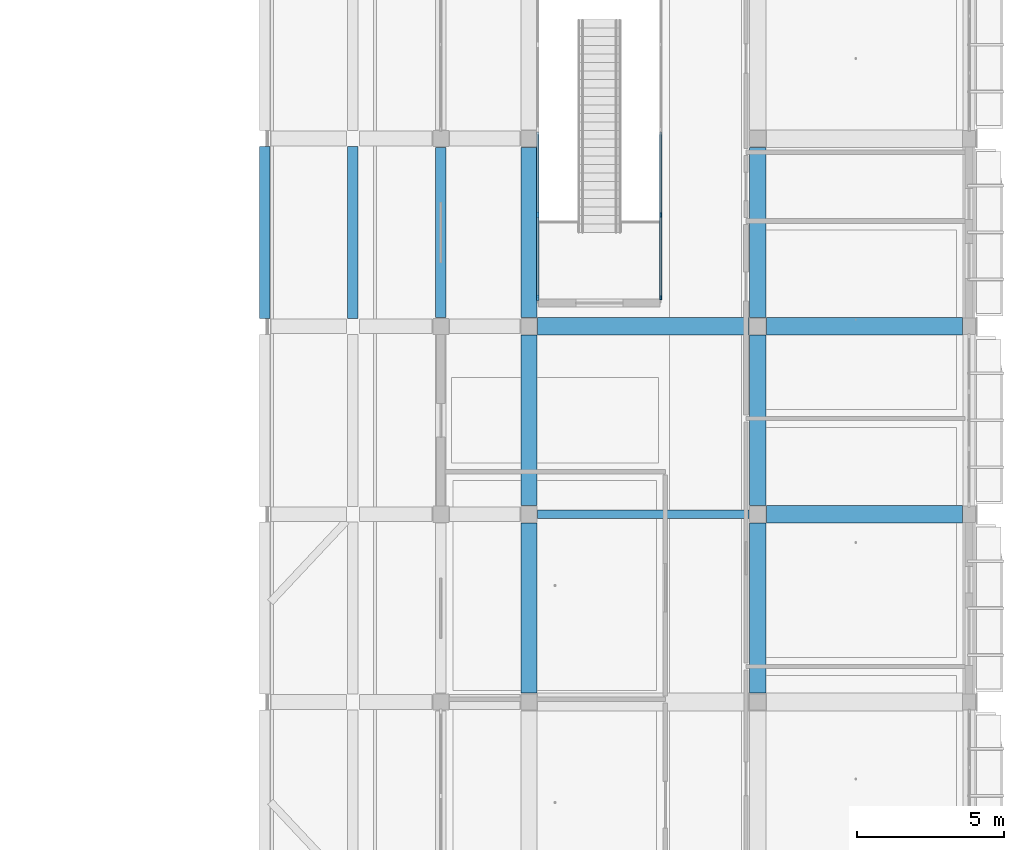
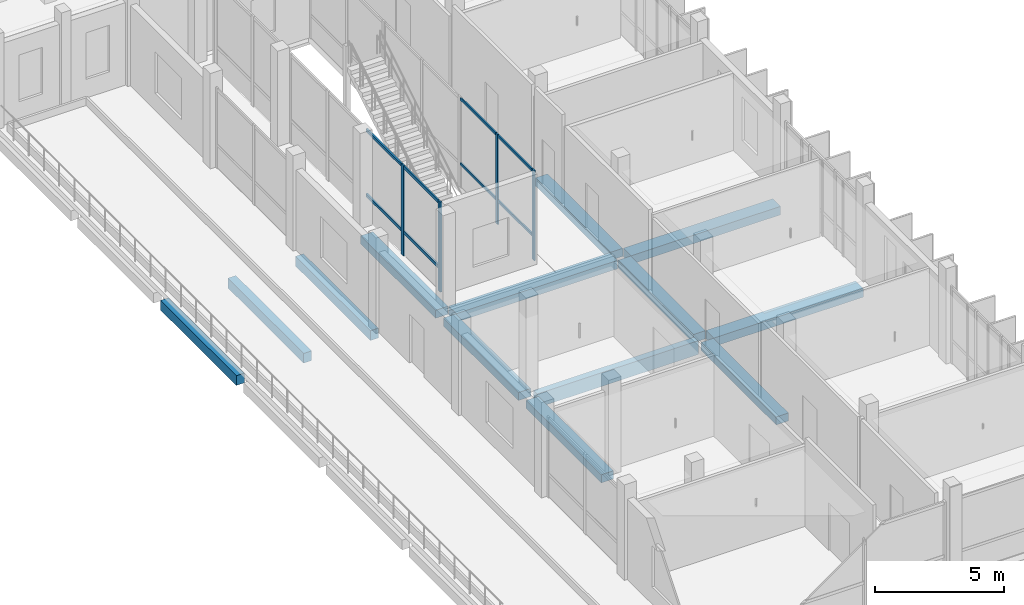
# One storey, part 33 of 95: 13 beams, 8 members, 2 elements without a shape of their own.
"""IFC4 building model written with IfcOpenShell, lengths in metres."""

from ifc_helpers import new_model, si_unit, derived_unit, direction, frame, origin, origin_2d, place, context, subcontext, project, spatial, rectangle, extrude, material, material_profile, profile_set, type_object, element, aggregate, save


model = new_model("IFC4")

# Units and contexts
model_context = context("Model", 3, precision=1e-05, world=origin(), true_north=direction((0.0, 1.0)))
body_context = subcontext(model_context, "Body", "Model", "MODEL_VIEW")
ifc_project = project(units=[si_unit("LENGTHUNIT", "METRE"), si_unit("AREAUNIT", "SQUARE_METRE"), si_unit("VOLUMEUNIT", "CUBIC_METRE"), si_unit("PLANEANGLEUNIT", "RADIAN"), si_unit("MASSUNIT", "GRAM", prefix="KILO"), derived_unit("THERMALTRANSMITTANCEUNIT", [(si_unit("POWERUNIT", "WATT"), 1), (si_unit("LENGTHUNIT", "METRE"), -2), (si_unit("THERMODYNAMICTEMPERATUREUNIT", "KELVIN"), -1)])], contexts=[model_context])

# Site, building, storey
site_placement = place(None, origin())
site = spatial("IfcSite", under=ifc_project, at=site_placement, CompositionType="ELEMENT")
building_placement = place(site_placement, origin())
building = spatial("IfcBuilding", under=site, at=building_placement, Name="Braskholm Square Health Centre", CompositionType="ELEMENT")
storey_placement = place(building_placement, frame((0.0, 0.0, 4.800048828125)))
storey = spatial("IfcBuildingStorey", under=building, at=storey_placement, Name="L02", CompositionType="ELEMENT", Elevation=4.800048828125)

# Curtain wall, members
ifc_material_1 = material(Name="Low-E triple insulating glass (VLT 0.64)", Category="glass")
curtain_wall_type = type_object("IfcCurtainWallType", Name="UnitisedCurtainWall5400x4100", PredefinedType="NOTDEFINED", material=ifc_material_1)
curtain_wall_1_placement = place(storey_placement, origin())
curtain_wall_1 = element("IfcCurtainWall", 1, at=curtain_wall_1_placement, inside=storey, type_object=curtain_wall_type, Name="EC1 Court E unitised curtain wall CW-L02-0328", PredefinedType="NOTDEFINED")
ifc_material_2 = material(Name="Architectural bronze anodised aluminium", Category="aluminium")
ifc_material_profile_1 = material_profile(ifc_material_2, rectangle(XDim=0.06494140625, YDim=0.14990234375, at=origin_2d()), Name="ALU-65X150")
ifc_profile_set_1 = profile_set([ifc_material_profile_1], Name="Architectural bronze anodised aluminium")
member_type_1 = type_object("IfcMemberType", Name="CurtainWallMullion65x150", PredefinedType="MULLION", material=ifc_profile_set_1)
member_1_placement = place(storey_placement, frame((153.300048828125, 33.60107421875, 0.0), z_axis=(0.0, 0.0, 1.0), x_axis=(1.0, 0.0, 0.0)))
member_1 = element("IfcMember", 2, at=member_1_placement, type_object=member_type_1, Name="CW-L02-0328 vertical mullion 2", PredefinedType="MULLION", context=body_context, shape_type="SweptSolid", body=[
    extrude(rectangle(XDim=0.06494140625, YDim=0.14990234375, at=origin_2d()), origin(), (0.0, 0.0, 1.0), 4.25),
])
member_2_placement = place(storey_placement, frame((153.300048828125, 30.7744140625, 0.0), z_axis=(0.0, 0.0, 1.0), x_axis=(1.0, 0.0, 0.0)))
member_2 = element("IfcMember", 3, at=member_2_placement, type_object=member_type_1, Name="CW-L02-0328 vertical mullion 3", PredefinedType="MULLION", context=body_context, shape_type="SweptSolid", body=[
    extrude(rectangle(XDim=0.06494140625, YDim=0.14990234375, at=origin_2d()), origin(), (0.0, 0.0, 1.0), 4.25),
])

curtain_wall_2_placement = place(storey_placement, origin())
curtain_wall_2 = element("IfcCurtainWall", 4, at=curtain_wall_2_placement, inside=storey, type_object=curtain_wall_type, Name="EC1 Court W unitised curtain wall CW-L02-0327", PredefinedType="NOTDEFINED")
ifc_material_profile_2 = material_profile(ifc_material_2, rectangle(XDim=0.074951171875, YDim=0.179931640625, at=origin_2d()), Name="ALU-75X180")
ifc_profile_set_2 = profile_set([ifc_material_profile_2], Name="Architectural bronze anodised aluminium")
member_type_2 = type_object("IfcMemberType", Name="CurtainWallMullion75x180", PredefinedType="MULLION", material=ifc_profile_set_2)
member_3_placement = place(storey_placement, frame((149.10009765625, 30.7744140625, 0.0), z_axis=(0.0, 0.0, 1.0), x_axis=(1.0, 0.0, 0.0)))
member_3 = element("IfcMember", 5, at=member_3_placement, type_object=member_type_2, Name="CW-L02-0327 vertical mullion 1", PredefinedType="MULLION", context=body_context, shape_type="SweptSolid", body=[
    extrude(rectangle(XDim=0.074951171875, YDim=0.179931640625, at=origin_2d()), origin(), (0.0, 0.0, 1.0), 4.25),
])
member_4_placement = place(storey_placement, frame((149.10009765625, 33.60107421875, 0.0), z_axis=(0.0, 0.0, 1.0), x_axis=(1.0, 0.0, 0.0)))
member_4 = element("IfcMember", 6, at=member_4_placement, type_object=member_type_2, Name="CW-L02-0327 vertical mullion 2", PredefinedType="MULLION", context=body_context, shape_type="SweptSolid", body=[
    extrude(rectangle(XDim=0.074951171875, YDim=0.179931640625, at=origin_2d()), origin(), (0.0, 0.0, 1.0), 4.25),
])

# Member
ifc_material_profile_3 = material_profile(ifc_material_2, rectangle(XDim=0.06494140625, YDim=0.1201171875, at=origin_2d()), Name="ALU-65X120")
ifc_profile_set_3 = profile_set([ifc_material_profile_3], Name="Architectural bronze anodised aluminium")
member_type_3 = type_object("IfcMemberType", Name="CurtainWallTransom65x120", PredefinedType="USERDEFINED", material=ifc_profile_set_3)
member_5_placement = place(storey_placement, frame((153.300048828125, 36.4169921875, 1.119873046875), z_axis=(0.0, -1.0, 0.0), x_axis=(1.0, 0.0, 0.0)))
member_5 = element("IfcMember", 7, at=member_5_placement, type_object=member_type_3, Name="CW-L02-0328 horizontal transom 1", ObjectType="TRANSOM", PredefinedType="USERDEFINED", context=body_context, shape_type="SweptSolid", body=[
    extrude(rectangle(XDim=0.06494140625, YDim=0.1201171875, at=origin_2d()), origin(), (0.0, 0.0, 1.0), 5.632080078125),
])

member_6_placement = place(storey_placement, frame((153.300048828125, 36.4169921875, 4.179931640625), z_axis=(0.0, -1.0, 0.0), x_axis=(1.0, 0.0, 0.0)))
member_6 = element("IfcMember", 8, at=member_6_placement, type_object=member_type_3, Name="CW-L02-0328 horizontal transom 2", ObjectType="TRANSOM", PredefinedType="USERDEFINED", context=body_context, shape_type="SweptSolid", body=[
    extrude(rectangle(XDim=0.06494140625, YDim=0.1201171875, at=origin_2d()), origin(), (0.0, 0.0, 1.0), 5.632080078125),
])

aggregate(curtain_wall_1, [member_1, member_2, member_5, member_6])

ifc_material_profile_4 = material_profile(ifc_material_2, rectangle(XDim=0.074951171875, YDim=0.139892578125, at=origin_2d()), Name="ALU-75X140")
ifc_profile_set_4 = profile_set([ifc_material_profile_4], Name="Architectural bronze anodised aluminium")
member_type_4 = type_object("IfcMemberType", Name="CurtainWallTransom75x140", PredefinedType="USERDEFINED", material=ifc_profile_set_4)
member_7_placement = place(storey_placement, frame((149.10009765625, 30.784912109375, 1.119873046875), z_axis=(0.0, 1.0, 0.0), x_axis=(-1.0, 0.0, 0.0)))
member_7 = element("IfcMember", 9, at=member_7_placement, type_object=member_type_4, Name="CW-L02-0327 horizontal transom 1", ObjectType="TRANSOM", PredefinedType="USERDEFINED", context=body_context, shape_type="SweptSolid", body=[
    extrude(rectangle(XDim=0.074951171875, YDim=0.139892578125, at=origin_2d()), origin(), (0.0, 0.0, 1.0), 5.632080078125),
])

member_8_placement = place(storey_placement, frame((149.10009765625, 30.784912109375, 4.179931640625), z_axis=(0.0, 1.0, 0.0), x_axis=(-1.0, 0.0, 0.0)))
member_8 = element("IfcMember", 10, at=member_8_placement, type_object=member_type_4, Name="CW-L02-0327 horizontal transom 2", ObjectType="TRANSOM", PredefinedType="USERDEFINED", context=body_context, shape_type="SweptSolid", body=[
    extrude(rectangle(XDim=0.074951171875, YDim=0.139892578125, at=origin_2d()), origin(), (0.0, 0.0, 1.0), 5.632080078125),
])

aggregate(curtain_wall_2, [member_3, member_4, member_7, member_8])

# Beams
ifc_material_3 = material(Name="Concrete C35/45 (f'c = 35 MPa)", Category="concrete")
ifc_material_profile_5 = material_profile(ifc_material_3, rectangle(XDim=0.550048828125, YDim=0.3798828125, at=origin_2d()), Name="RCB-550X380")
ifc_profile_set_5 = profile_set([ifc_material_profile_5], Name="Concrete C35/45 (f'c = 35 MPa)")
beam_type_1 = type_object("IfcBeamType", Name="PrimaryBandBeam550x380", PredefinedType="BEAM", material=ifc_profile_set_5)
for number, where, z_axis, x_axis, name in (
    (11, (148.800048828125, 17.300048828125, -0.489990234375), (0.0, 1.0, 0.0), (-1.0, 0.0, 0.0), "Beam 20/C-D L02"),
    (12, (148.800048828125, 23.699951171875, -0.489990234375), (0.0, 1.0, 0.0), (-1.0, 0.0, 0.0), "Beam 20/D-E L02"),
):
    element("IfcBeam", number, at=place(storey_placement, frame(where, z_axis=z_axis, x_axis=x_axis)), inside=storey, type_object=beam_type_1, Name=name, PredefinedType="BEAM", context=body_context, shape_type="SweptSolid", body=[
        extrude(rectangle(XDim=0.550048828125, YDim=0.3798828125, at=origin_2d()), origin(), (0.0, 0.0, 1.0), 5.800048828125),
    ])
beam_1_placement = place(storey_placement, frame((148.800048828125, 30.10009765625, -0.489990234375), z_axis=(0.0, 1.0, 0.0), x_axis=(-1.0, 0.0, 0.0)))
element("IfcBeam", 13, at=beam_1_placement, inside=storey, type_object=beam_type_1, Name="Beam 20/E-F L02", PredefinedType="BEAM", context=body_context, shape_type="SweptSolid", body=[
    extrude(rectangle(XDim=0.550048828125, YDim=0.3798828125, at=origin_2d()), origin(), (0.0, 0.0, 1.0), 5.7998046875),
])
for number, where, z_axis, x_axis, name in (
    (14, (156.60009765625, 17.300048828125, -0.489990234375), (0.0, 1.0, 0.0), (-1.0, 0.0, 0.0), "Beam 21/C-D L02"),
    (15, (156.60009765625, 23.699951171875, -0.489990234375), (0.0, 1.0, 0.0), (-1.0, 0.0, 0.0), "Beam 21/D-E L02"),
):
    element("IfcBeam", number, at=place(storey_placement, frame(where, z_axis=z_axis, x_axis=x_axis)), inside=storey, type_object=beam_type_1, Name=name, PredefinedType="BEAM", context=body_context, shape_type="SweptSolid", body=[
        extrude(rectangle(XDim=0.550048828125, YDim=0.3798828125, at=origin_2d()), origin(), (0.0, 0.0, 1.0), 5.800048828125),
    ])
beam_2_placement = place(storey_placement, frame((156.60009765625, 30.10009765625, -0.489990234375), z_axis=(0.0, 1.0, 0.0), x_axis=(-1.0, 0.0, 0.0)))
element("IfcBeam", 16, at=beam_2_placement, inside=storey, type_object=beam_type_1, Name="Beam 21/E-F L02", PredefinedType="BEAM", context=body_context, shape_type="SweptSolid", body=[
    extrude(rectangle(XDim=0.550048828125, YDim=0.3798828125, at=origin_2d()), origin(), (0.0, 0.0, 1.0), 5.7998046875),
])
ifc_material_profile_6 = material_profile(ifc_material_3, rectangle(XDim=0.60009765625, YDim=0.39990234375, at=origin_2d()), Name="RCB-600X400")
ifc_profile_set_6 = profile_set([ifc_material_profile_6], Name="Concrete C35/45 (f'c = 35 MPa)")
beam_type_2 = type_object("IfcBeamType", Name="PrimaryBandBeam600x400", PredefinedType="BEAM", material=ifc_profile_set_6)
beam_3_placement = place(storey_placement, frame((156.89990234375, 23.39990234375, -0.5), z_axis=(1.0, 0.0, 0.0), x_axis=(0.0, 1.0, 0.0)))
element("IfcBeam", 17, at=beam_3_placement, inside=storey, type_object=beam_type_2, Name="Beam 21-22/D L02", PredefinedType="BEAM", context=body_context, shape_type="SweptSolid", body=[
    extrude(rectangle(XDim=0.60009765625, YDim=0.39990234375, at=origin_2d()), origin(), (0.0, 0.0, 1.0), 6.670166015625),
])
beam_4_placement = place(storey_placement, frame((149.10009765625, 29.800048828125, -0.5), z_axis=(1.0, 0.0, 0.0), x_axis=(0.0, 1.0, 0.0)))
element("IfcBeam", 18, at=beam_4_placement, inside=storey, type_object=beam_type_2, Name="Beam 20-21/E L02", PredefinedType="BEAM", context=body_context, shape_type="SweptSolid", body=[
    extrude(rectangle(XDim=0.60009765625, YDim=0.39990234375, at=origin_2d()), origin(), (0.0, 0.0, 1.0), 7.199951171875),
])
beam_5_placement = place(storey_placement, frame((156.89990234375, 29.800048828125, -0.5), z_axis=(1.0, 0.0, 0.0), x_axis=(0.0, 1.0, 0.0)))
element("IfcBeam", 19, at=beam_5_placement, inside=storey, type_object=beam_type_2, Name="Beam 21-22/E L02", PredefinedType="BEAM", context=body_context, shape_type="SweptSolid", body=[
    extrude(rectangle(XDim=0.60009765625, YDim=0.39990234375, at=origin_2d()), origin(), (0.0, 0.0, 1.0), 6.670166015625),
])
ifc_material_4 = material(Name="Concrete C40/50 (f'c = 40 MPa)", Category="concrete")
ifc_material_profile_7 = material_profile(ifc_material_4, rectangle(XDim=0.300048828125, YDim=0.64990234375, at=origin_2d()), Name="RCB-300X650")
ifc_profile_set_7 = profile_set([ifc_material_profile_7], Name="Concrete C40/50 (f'c = 40 MPa)")
beam_type_3 = type_object("IfcBeamType", Name="PrimaryCoreCoupling300x650", PredefinedType="BEAM", material=ifc_profile_set_7)
beam_6_placement = place(storey_placement, frame((149.10009765625, 23.39990234375, -0.625), z_axis=(1.0, 0.0, 0.0), x_axis=(0.0, 1.0, 0.0)))
element("IfcBeam", 20, at=beam_6_placement, inside=storey, type_object=beam_type_3, Name="Beam 20-21/D L02", PredefinedType="BEAM", context=body_context, shape_type="SweptSolid", body=[
    extrude(rectangle(XDim=0.300048828125, YDim=0.64990234375, at=origin_2d()), origin(), (0.0, 0.0, 1.0), 7.199951171875),
])
ifc_material_5 = material(Name="Precast concrete C40/50 architectural white", Category="concrete")
ifc_material_profile_8 = material_profile(ifc_material_5, rectangle(XDim=0.360107421875, YDim=0.4599609375, at=origin_2d()), Name="RCB-360X460")
ifc_profile_set_8 = profile_set([ifc_material_profile_8], Name="Precast concrete C40/50 architectural white")
beam_type_4 = type_object("IfcBeamType", Name="SpandrelTerraceEdge360x460", PredefinedType="SPANDREL", material=ifc_profile_set_8)
for number, where, z_axis, x_axis, name in (
    (21, (139.800048828125, 30.070068359375, -0.47998046875), (0.0, 1.0, 0.0), (-1.0, 0.0, 0.0), "Beam 17/E-F L02"),
    (22, (142.800048828125, 30.070068359375, -0.47998046875), (0.0, 1.0, 0.0), (-1.0, 0.0, 0.0), "Beam 18/E-F L02"),
):
    element("IfcBeam", number, at=place(storey_placement, frame(where, z_axis=z_axis, x_axis=x_axis)), inside=storey, type_object=beam_type_4, Name=name, PredefinedType="SPANDREL", context=body_context, shape_type="SweptSolid", body=[
        extrude(rectangle(XDim=0.360107421875, YDim=0.4599609375, at=origin_2d()), origin(), (0.0, 0.0, 1.0), 5.85986328125),
    ])
beam_7_placement = place(storey_placement, frame((145.800048828125, 30.10009765625, -0.47998046875), z_axis=(0.0, 1.0, 0.0), x_axis=(-1.0, 0.0, 0.0)))
element("IfcBeam", 23, at=beam_7_placement, inside=storey, type_object=beam_type_4, Name="Beam 19/E-F L02", PredefinedType="SPANDREL", context=body_context, shape_type="SweptSolid", body=[
    extrude(rectangle(XDim=0.360107421875, YDim=0.4599609375, at=origin_2d()), origin(), (0.0, 0.0, 1.0), 5.7998046875),
])

save(model, "model.ifc")
